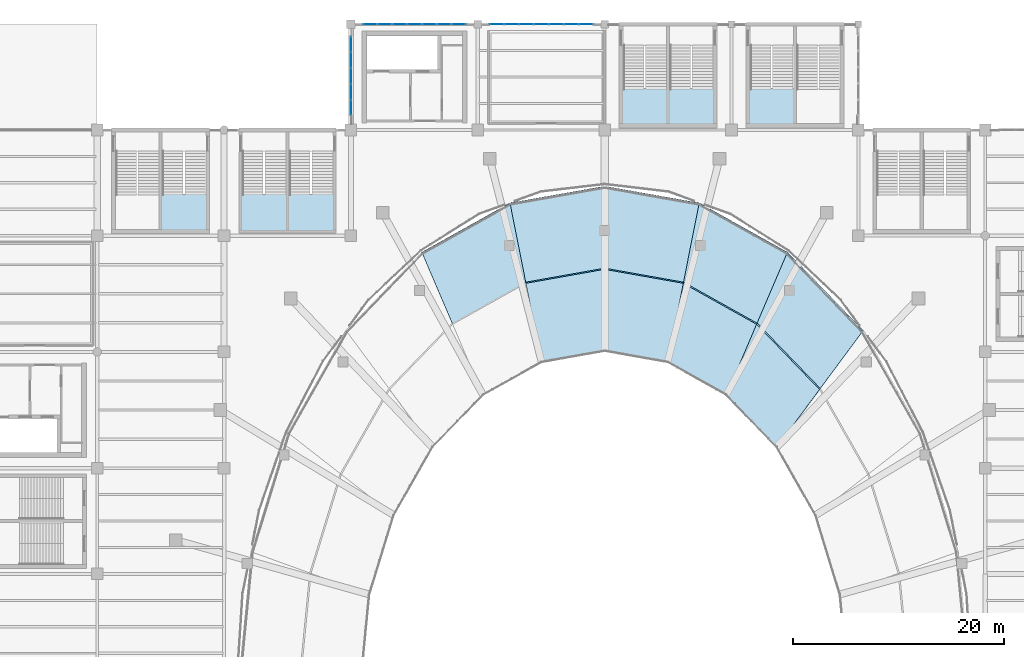
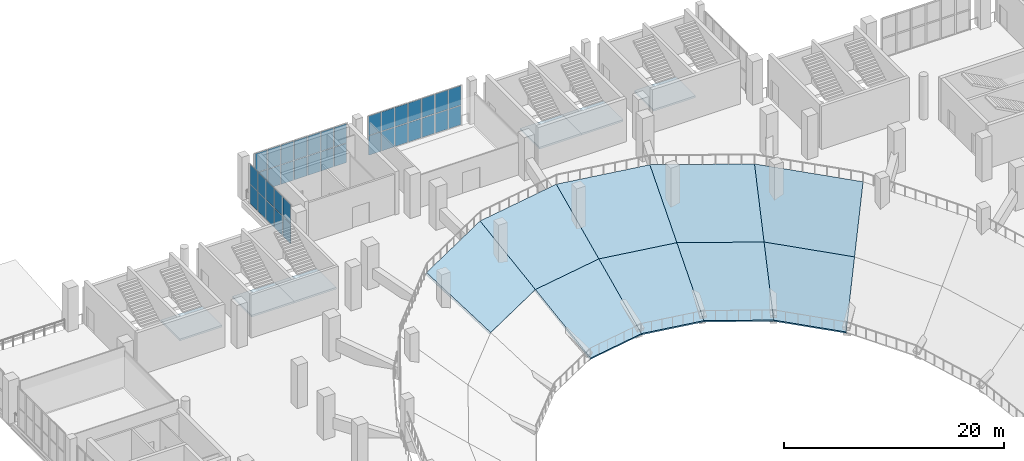
# One storey, part 99 of 136: 38 plates, 15 slabs, 9 elements without a shape of their own.
"""IFC4 building model written with IfcOpenShell, lengths in metres."""

import ifcopenshell
import ifcopenshell.guid

model = None  # the IFC model being written
_history = None  # IfcOwnerHistory: only IFC2X3 demands one
_inside = {}  # id of a spatial element -> (the spatial element, [elements in it])
_under = {}  # id of a project, library or spatial element -> (it, [spatial elements below it])
_declared = {}  # id of a project -> (the project, [libraries it declares])
_typed = {}  # id of a type object -> (the type object, [elements of that type])
_made_of = {}  # id of a material, layer set ... -> (it, [elements and type objects made of it])


def new_model(schema):
    """Start an empty IFC model of exactly this schema.

    Asked for "IFC4X3", IfcOpenShell would pick the latest addendum, in which some entities
    have other attributes; the version numbers below select the first issue.
    IFC2X3 requires an IfcOwnerHistory on every rooted entity: one is made here for all.
    """
    global model, _history
    if schema == "IFC4X3":
        model = ifcopenshell.file(schema_version=(4, 3, 0, 0))
    else:
        model = ifcopenshell.file(schema=schema)
    _inside.clear()
    _under.clear()
    _declared.clear()
    _typed.clear()
    _made_of.clear()
    _history = None
    if model.schema == "IFC2X3":
        org = make("IfcOrganization", Name="unknown")
        user = make(
            "IfcPersonAndOrganization",
            ThePerson=make("IfcPerson", FamilyName="unknown"),
            TheOrganization=org,
        )
        app = make(
            "IfcApplication",
            ApplicationDeveloper=org,
            Version="unknown",
            ApplicationFullName="unknown",
            ApplicationIdentifier="unknown",
        )
        _history = make(
            "IfcOwnerHistory",
            OwningUser=user,
            OwningApplication=app,
            ChangeAction="ADDED",
            CreationDate=0,
        )
    return model


def make(cls, **values):
    """One entity of the class cls with the attributes given. An attribute that is None is left unset."""
    return model.create_entity(
        cls, **{name: value for name, value in values.items() if value is not None}
    )


def rooted(cls, **values):
    """An entity with a GlobalId (a new one), such as an element, a storey or a relation."""
    return make(cls, GlobalId=ifcopenshell.guid.new(), OwnerHistory=_history, **values)


def si_unit(unit_type, name, prefix=None):
    """IfcSIUnit, for example si_unit("LENGTHUNIT", "METRE", prefix="MILLI")."""
    return make("IfcSIUnit", UnitType=unit_type, Prefix=prefix, Name=name)


def assignment(units):
    """IfcUnitAssignment: the units of a project."""
    return None if units is None else make("IfcUnitAssignment", Units=units)


def point(xyz):
    """IfcCartesianPoint."""
    return None if xyz is None else make("IfcCartesianPoint", Coordinates=xyz)


def direction(xyz):
    """IfcDirection."""
    return None if xyz is None else make("IfcDirection", DirectionRatios=xyz)


def frame(location, z_axis=None, x_axis=None):
    """IfcAxis2Placement3D, a coordinate frame: its origin and axes. An axis left out is left unset."""
    return make(
        "IfcAxis2Placement3D",
        Location=point(location),
        Axis=direction(z_axis),
        RefDirection=direction(x_axis),
    )


def frame_2d(location, x_axis=None):
    """IfcAxis2Placement2D, a coordinate frame in the plane: its origin and x axis."""
    return make(
        "IfcAxis2Placement2D", Location=point(location), RefDirection=direction(x_axis)
    )


def origin():
    """The frame at (0, 0, 0) with its axes left unset."""
    return frame((0.0, 0.0, 0.0))


def origin_2d():
    """The frame at (0, 0) in the plane with its x axis left unset."""
    return frame_2d((0.0, 0.0))


def place(relative_to, where):
    """IfcLocalPlacement: puts the frame where relative to a parent placement (None: the world)."""
    return make(
        "IfcLocalPlacement", PlacementRelTo=relative_to, RelativePlacement=where
    )


def context(
    kind, dimensions, precision=None, world=None, true_north=None, identifier=None
):
    """IfcGeometricRepresentationContext, for example the 3D "Model" context."""
    return make(
        "IfcGeometricRepresentationContext",
        ContextIdentifier=identifier,
        ContextType=kind,
        CoordinateSpaceDimension=dimensions,
        Precision=precision,
        WorldCoordinateSystem=world,
        TrueNorth=true_north,
    )


def subcontext(parent, identifier, kind, view, scale=None):
    """IfcGeometricRepresentationSubContext, for example "Body" below "Model"."""
    return make(
        "IfcGeometricRepresentationSubContext",
        ContextIdentifier=identifier,
        ContextType=kind,
        ParentContext=parent,
        TargetScale=scale,
        TargetView=view,
    )


def project(units=None, contexts=None):
    """IfcProject with its units and contexts."""
    return rooted(
        "IfcProject",
        Name="project",
        RepresentationContexts=contexts,
        UnitsInContext=assignment(units),
    )


def spatial(cls, under=None, at=None, **own):
    """A site, building, storey or space (cls), placed at a placement, below another one or the project."""
    s = rooted(cls, ObjectPlacement=at, **own)
    if under is not None:
        _under.setdefault(under.id(), (under, []))[1].append(s)
    return s


def polyline(points):
    """IfcPolyline through the points."""
    return make("IfcPolyline", Points=[point(p) for p in points])


def profile(cls, at=None, kind="AREA", **sizes):
    """A parametric profile (cls). Its sizes go by their IFC names, for example OverallWidth=200.0."""
    return make(cls, ProfileType=kind, Position=at, **sizes)


def rectangle(**sizes):
    """IfcRectangleProfileDef."""
    return profile("IfcRectangleProfileDef", **sizes)


def outline(outer, holes=None, kind="AREA"):
    """IfcArbitraryClosedProfileDef: a profile drawn as a closed curve; with holes, ...WithVoids."""
    if holes is None:
        return make("IfcArbitraryClosedProfileDef", ProfileType=kind, OuterCurve=outer)
    return make(
        "IfcArbitraryProfileDefWithVoids",
        ProfileType=kind,
        OuterCurve=outer,
        InnerCurves=holes,
    )


def extrude(swept, where, along, depth):
    """IfcExtrudedAreaSolid: the profile swept, set in the frame where, extruded along a direction by depth."""
    return make(
        "IfcExtrudedAreaSolid",
        SweptArea=swept,
        Position=where,
        ExtrudedDirection=direction(along),
        Depth=depth,
    )


def shape(context_of_items, identifier, shape_type, items):
    """IfcShapeRepresentation: the items that make up one representation, for example the "Body"."""
    return make(
        "IfcShapeRepresentation",
        ContextOfItems=context_of_items,
        RepresentationIdentifier=identifier,
        RepresentationType=shape_type,
        Items=items,
    )


def material(Name=None, Category=None):
    """IfcMaterial."""
    return make("IfcMaterial", Name=Name, Category=Category)


def layer(
    of_material, thickness, ventilated=None, Name=None, Category=None, Priority=None
):
    """IfcMaterialLayer: one layer of a wall or slab, of a material (None: an air gap)."""
    return make(
        "IfcMaterialLayer",
        Material=of_material,
        LayerThickness=thickness,
        IsVentilated=ventilated,
        Name=Name,
        Category=Category,
        Priority=Priority,
    )


def layer_set(layers, Name=None):
    """IfcMaterialLayerSet."""
    return make("IfcMaterialLayerSet", MaterialLayers=layers, LayerSetName=Name)


def made_of(thing, what):
    """Note that an element or type object is made of a material, layer set ...; save() writes the relation."""
    if what is not None:
        _made_of.setdefault(what.id(), (what, []))[1].append(thing)
    return thing


def type_object(cls, material=None, **own):
    """A type object (cls), such as IfcWallType, which elements share."""
    return made_of(rooted(cls, **own), material)


def element(
    cls,
    number,
    at=None,
    inside=None,
    cuts=None,
    type_object=None,
    material=None,
    context=None,
    identifier="Body",
    shape_type=None,
    held_by="IfcProductDefinitionShape",
    body=None,
    shapes=None,
    **own,
):
    """One element of the class cls, such as IfcWall. Its Tag is "e" and its number.

    at: its placement. inside: the storey or other place that contains it. cuts: it is an
    opening in that element (IfcRelVoidsElement). A single representation is given by context,
    identifier, shape_type and body (its items); several are given by shapes. held_by: the class
    of the entity that holds the representations. save() writes the other relations.
    """
    e = rooted(cls, Tag="e%d" % number, ObjectPlacement=at, **own)
    if body is not None:
        shapes = [shape(context, identifier, shape_type, body)]
    if shapes is not None:
        e.Representation = make(held_by, Representations=shapes)
    if inside is not None:
        _inside.setdefault(inside.id(), (inside, []))[1].append(e)
    if cuts is not None:
        rooted(
            "IfcRelVoidsElement", RelatingBuildingElement=cuts, RelatedOpeningElement=e
        )
    if type_object is not None:
        _typed.setdefault(type_object.id(), (type_object, []))[1].append(e)
    return made_of(e, material)


def aggregate(whole, parts):
    """IfcRelAggregates: a whole, such as a stair, and the parts it consists of."""
    return rooted("IfcRelAggregates", RelatingObject=whole, RelatedObjects=parts)


def save(model, path):
    """Write the relations noted so far, then the file.

    IfcRelAggregates (storeys below a building ...), IfcRelContainedInSpatialStructure (elements
    in a storey), IfcRelDefinesByType, IfcRelAssociatesMaterial and IfcRelDeclares: one each for
    every whole, place, type object, material and project.
    """
    for whole, parts in _under.values():
        aggregate(whole, parts)
    for where, things in _inside.values():
        rooted(
            "IfcRelContainedInSpatialStructure",
            RelatedElements=things,
            RelatingStructure=where,
        )
    for kind, things in _typed.values():
        rooted("IfcRelDefinesByType", RelatedObjects=things, RelatingType=kind)
    for what, things in _made_of.values():
        rooted("IfcRelAssociatesMaterial", RelatedObjects=things, RelatingMaterial=what)
    for by, libraries in _declared.values():
        rooted("IfcRelDeclares", RelatingContext=by, RelatedDefinitions=libraries)
    model.write(path)


model = new_model("IFC4")

# Units and contexts
model_context = context("Model", 3, precision=1e-05, world=origin(), true_north=direction((0.0, 1.0)))
body_context = subcontext(model_context, "Body", "Model", "MODEL_VIEW")
ifc_project = project(units=[si_unit("LENGTHUNIT", "METRE"), si_unit("AREAUNIT", "SQUARE_METRE"), si_unit("VOLUMEUNIT", "CUBIC_METRE"), si_unit("PLANEANGLEUNIT", "RADIAN"), si_unit("MASSUNIT", "GRAM", prefix="KILO")], contexts=[model_context])

# Site, building, storey
site_placement = place(None, origin())
site = spatial("IfcSite", under=ifc_project, at=site_placement, CompositionType="ELEMENT")
building_placement = place(site_placement, origin())
building = spatial("IfcBuilding", under=site, at=building_placement, Name="Brinegate Civic Arena", CompositionType="ELEMENT")
storey_placement = place(building_placement, frame((0.0, 0.0, 5.39990234375)))
storey = spatial("IfcBuildingStorey", under=building, at=storey_placement, Name="L01", CompositionType="ELEMENT", Elevation=5.39990234375)

# Curtain wall, plates
ifc_material_1 = material(Name="Marine grade aluminium", Category="aluminium")
ifc_layer_1 = layer(ifc_material_1, 0.235107421875, Name="Marine grade aluminium")
ifc_layer_set_1 = layer_set([ifc_layer_1], Name="Marine grade aluminium")
curtain_wall_type = type_object("IfcCurtainWallType", Name="CW-PORTAL-NORTH-01", PredefinedType="USERDEFINED", material=ifc_layer_set_1)
curtain_wall_1_placement = place(storey_placement, origin())
curtain_wall_1 = element("IfcCurtainWall", 1, at=curtain_wall_1_placement, inside=storey, type_object=curtain_wall_type, Name="Curtain Wall CWA-066", ObjectType="PORTAL CURTAIN WALL", PredefinedType="USERDEFINED")
ifc_material_2 = material(Name="Hurricane laminated low-E glass", Category="glass")
ifc_layer_2 = layer(ifc_material_2, 0.028076171875, Name="Hurricane laminated low-E glass")
ifc_layer_set_2 = layer_set([ifc_layer_2], Name="Hurricane laminated low-E glass")
plate_type_1 = type_object("IfcPlateType", Name="CW-PANEL-GLAZED-28", PredefinedType="CURTAIN_PANEL", material=ifc_layer_set_2)
plate_1_placement = place(storey_placement, frame((97.801513671875, 124.0, 0.06494140625), z_axis=(0.0, 0.0, 1.0), x_axis=(1.0, 0.0, 0.0)))
plate_1 = element("IfcPlate", 2, at=plate_1_placement, type_object=plate_type_1, Name="CWA-066 panel 1.1", PredefinedType="CURTAIN_PANEL", context=body_context, shape_type="SweptSolid", body=[
    extrude(rectangle(XDim=1.313232421875, YDim=0.028076171875, at=origin_2d()), origin(), (0.0, 0.0, 1.0), 2.137451171875),
])
plate_2_placement = place(storey_placement, frame((97.801513671875, 124.0, 2.267578125), z_axis=(0.0, 0.0, 1.0), x_axis=(1.0, 0.0, 0.0)))
plate_2 = element("IfcPlate", 3, at=plate_2_placement, type_object=plate_type_1, Name="CWA-066 panel 1.2", PredefinedType="CURTAIN_PANEL", context=body_context, shape_type="SweptSolid", body=[
    extrude(rectangle(XDim=1.313232421875, YDim=0.028076171875, at=origin_2d()), origin(), (0.0, 0.0, 1.0), 2.137451171875),
])
plate_3_placement = place(storey_placement, frame((99.196044921875, 124.0, 0.06494140625), z_axis=(0.0, 0.0, 1.0), x_axis=(1.0, 0.0, 0.0)))
plate_3 = element("IfcPlate", 4, at=plate_3_placement, type_object=plate_type_1, Name="CWA-066 panel 2.1", PredefinedType="CURTAIN_PANEL", context=body_context, shape_type="SweptSolid", body=[
    extrude(rectangle(XDim=1.345703125, YDim=0.028076171875, at=origin_2d()), origin(), (0.0, 0.0, 1.0), 2.137451171875),
])
plate_4_placement = place(storey_placement, frame((99.196044921875, 124.0, 2.267578125), z_axis=(0.0, 0.0, 1.0), x_axis=(1.0, 0.0, 0.0)))
plate_4 = element("IfcPlate", 5, at=plate_4_placement, type_object=plate_type_1, Name="CWA-066 panel 2.2", PredefinedType="CURTAIN_PANEL", context=body_context, shape_type="SweptSolid", body=[
    extrude(rectangle(XDim=1.345703125, YDim=0.028076171875, at=origin_2d()), origin(), (0.0, 0.0, 1.0), 2.137451171875),
])
plate_5_placement = place(storey_placement, frame((100.606689453125, 124.0, 0.06494140625), z_axis=(0.0, 0.0, 1.0), x_axis=(1.0, 0.0, 0.0)))
plate_5 = element("IfcPlate", 6, at=plate_5_placement, type_object=plate_type_1, Name="CWA-066 panel 3.1", PredefinedType="CURTAIN_PANEL", context=body_context, shape_type="SweptSolid", body=[
    extrude(rectangle(XDim=1.345703125, YDim=0.028076171875, at=origin_2d()), origin(), (0.0, 0.0, 1.0), 2.137451171875),
])
plate_6_placement = place(storey_placement, frame((100.606689453125, 124.0, 2.267578125), z_axis=(0.0, 0.0, 1.0), x_axis=(1.0, 0.0, 0.0)))
plate_6 = element("IfcPlate", 7, at=plate_6_placement, type_object=plate_type_1, Name="CWA-066 panel 3.2", PredefinedType="CURTAIN_PANEL", context=body_context, shape_type="SweptSolid", body=[
    extrude(rectangle(XDim=1.345703125, YDim=0.028076171875, at=origin_2d()), origin(), (0.0, 0.0, 1.0), 2.137451171875),
])
plate_7_placement = place(storey_placement, frame((102.017578125, 124.0, 0.06494140625), z_axis=(0.0, 0.0, 1.0), x_axis=(1.0, 0.0, 0.0)))
plate_7 = element("IfcPlate", 8, at=plate_7_placement, type_object=plate_type_1, Name="CWA-066 panel 4.1", PredefinedType="CURTAIN_PANEL", context=body_context, shape_type="SweptSolid", body=[
    extrude(rectangle(XDim=1.345703125, YDim=0.028076171875, at=origin_2d()), origin(), (0.0, 0.0, 1.0), 2.137451171875),
])
plate_8_placement = place(storey_placement, frame((102.017578125, 124.0, 2.267578125), z_axis=(0.0, 0.0, 1.0), x_axis=(1.0, 0.0, 0.0)))
plate_8 = element("IfcPlate", 9, at=plate_8_placement, type_object=plate_type_1, Name="CWA-066 panel 4.2", PredefinedType="CURTAIN_PANEL", context=body_context, shape_type="SweptSolid", body=[
    extrude(rectangle(XDim=1.345703125, YDim=0.028076171875, at=origin_2d()), origin(), (0.0, 0.0, 1.0), 2.137451171875),
])
plate_9_placement = place(storey_placement, frame((103.42822265625, 124.0, 0.06494140625), z_axis=(0.0, 0.0, 1.0), x_axis=(1.0, 0.0, 0.0)))
plate_9 = element("IfcPlate", 10, at=plate_9_placement, type_object=plate_type_1, Name="CWA-066 panel 5.1", PredefinedType="CURTAIN_PANEL", context=body_context, shape_type="SweptSolid", body=[
    extrude(rectangle(XDim=1.345703125, YDim=0.028076171875, at=origin_2d()), origin(), (0.0, 0.0, 1.0), 2.137451171875),
])
plate_10_placement = place(storey_placement, frame((103.42822265625, 124.0, 2.267578125), z_axis=(0.0, 0.0, 1.0), x_axis=(1.0, 0.0, 0.0)))
plate_10 = element("IfcPlate", 11, at=plate_10_placement, type_object=plate_type_1, Name="CWA-066 panel 5.2", PredefinedType="CURTAIN_PANEL", context=body_context, shape_type="SweptSolid", body=[
    extrude(rectangle(XDim=1.345703125, YDim=0.028076171875, at=origin_2d()), origin(), (0.0, 0.0, 1.0), 2.137451171875),
])
plate_11_placement = place(storey_placement, frame((104.8388671875, 124.0, 0.06494140625), z_axis=(0.0, 0.0, 1.0), x_axis=(1.0, 0.0, 0.0)))
plate_11 = element("IfcPlate", 12, at=plate_11_placement, type_object=plate_type_1, Name="CWA-066 panel 6.1", PredefinedType="CURTAIN_PANEL", context=body_context, shape_type="SweptSolid", body=[
    extrude(rectangle(XDim=1.345703125, YDim=0.028076171875, at=origin_2d()), origin(), (0.0, 0.0, 1.0), 2.137451171875),
])
plate_12_placement = place(storey_placement, frame((104.8388671875, 124.0, 2.267578125), z_axis=(0.0, 0.0, 1.0), x_axis=(1.0, 0.0, 0.0)))
plate_12 = element("IfcPlate", 13, at=plate_12_placement, type_object=plate_type_1, Name="CWA-066 panel 6.2", PredefinedType="CURTAIN_PANEL", context=body_context, shape_type="SweptSolid", body=[
    extrude(rectangle(XDim=1.345703125, YDim=0.028076171875, at=origin_2d()), origin(), (0.0, 0.0, 1.0), 2.137451171875),
])
plate_13_placement = place(storey_placement, frame((106.2333984375, 124.0, 0.06494140625), z_axis=(0.0, 0.0, 1.0), x_axis=(1.0, 0.0, 0.0)))
plate_13 = element("IfcPlate", 14, at=plate_13_placement, type_object=plate_type_1, Name="CWA-066 panel 7.1", PredefinedType="CURTAIN_PANEL", context=body_context, shape_type="SweptSolid", body=[
    extrude(rectangle(XDim=1.313232421875, YDim=0.028076171875, at=origin_2d()), origin(), (0.0, 0.0, 1.0), 2.137451171875),
])
plate_14_placement = place(storey_placement, frame((106.2333984375, 124.0, 2.267578125), z_axis=(0.0, 0.0, 1.0), x_axis=(1.0, 0.0, 0.0)))
plate_14 = element("IfcPlate", 15, at=plate_14_placement, type_object=plate_type_1, Name="CWA-066 panel 7.2", PredefinedType="CURTAIN_PANEL", context=body_context, shape_type="SweptSolid", body=[
    extrude(rectangle(XDim=1.313232421875, YDim=0.028076171875, at=origin_2d()), origin(), (0.0, 0.0, 1.0), 2.137451171875),
])
aggregate(curtain_wall_1, [plate_1, plate_2, plate_3, plate_4, plate_5, plate_6, plate_7, plate_8, plate_9, plate_10, plate_11, plate_12, plate_13, plate_14])

curtain_wall_2_placement = place(storey_placement, origin())
curtain_wall_2 = element("IfcCurtainWall", 16, at=curtain_wall_2_placement, inside=storey, type_object=curtain_wall_type, Name="Curtain Wall CWA-064", ObjectType="PORTAL CURTAIN WALL", PredefinedType="USERDEFINED")
ifc_layer_3 = layer(ifc_material_2, 0.035888671875, Name="Hurricane laminated low-E glass")
ifc_layer_set_3 = layer_set([ifc_layer_3], Name="Hurricane laminated low-E glass")
plate_type_2 = type_object("IfcPlateType", Name="CW-PANEL-GLAZED-36", PredefinedType="CURTAIN_PANEL", material=ifc_layer_set_3)
plate_15_placement = place(storey_placement, frame((85.8349609375, 124.0, 0.06494140625), z_axis=(0.0, 0.0, 1.0), x_axis=(1.0, 0.0, 0.0)))
plate_15 = element("IfcPlate", 17, at=plate_15_placement, type_object=plate_type_2, Name="CWA-064 panel 1.1", PredefinedType="CURTAIN_PANEL", context=body_context, shape_type="SweptSolid", body=[
    extrude(rectangle(XDim=1.2880859375, YDim=0.035888671875, at=origin_2d()), origin(), (0.0, 0.0, 1.0), 2.137451171875),
])
plate_16_placement = place(storey_placement, frame((85.8349609375, 124.0, 2.267578125), z_axis=(0.0, 0.0, 1.0), x_axis=(1.0, 0.0, 0.0)))
plate_16 = element("IfcPlate", 18, at=plate_16_placement, type_object=plate_type_2, Name="CWA-064 panel 1.2", PredefinedType="CURTAIN_PANEL", context=body_context, shape_type="SweptSolid", body=[
    extrude(rectangle(XDim=1.2880859375, YDim=0.035888671875, at=origin_2d()), origin(), (0.0, 0.0, 1.0), 2.137451171875),
])
plate_17_placement = place(storey_placement, frame((87.216796875, 124.0, 0.06494140625), z_axis=(0.0, 0.0, 1.0), x_axis=(1.0, 0.0, 0.0)))
plate_17 = element("IfcPlate", 19, at=plate_17_placement, type_object=plate_type_2, Name="CWA-064 panel 2.1", PredefinedType="CURTAIN_PANEL", context=body_context, shape_type="SweptSolid", body=[
    extrude(rectangle(XDim=1.32568359375, YDim=0.035888671875, at=origin_2d()), origin(), (0.0, 0.0, 1.0), 2.137451171875),
])
plate_18_placement = place(storey_placement, frame((87.216796875, 124.0, 2.267578125), z_axis=(0.0, 0.0, 1.0), x_axis=(1.0, 0.0, 0.0)))
plate_18 = element("IfcPlate", 20, at=plate_18_placement, type_object=plate_type_2, Name="CWA-064 panel 2.2", PredefinedType="CURTAIN_PANEL", context=body_context, shape_type="SweptSolid", body=[
    extrude(rectangle(XDim=1.32568359375, YDim=0.035888671875, at=origin_2d()), origin(), (0.0, 0.0, 1.0), 2.137451171875),
])
plate_19_placement = place(storey_placement, frame((88.617431640625, 124.0, 0.06494140625), z_axis=(0.0, 0.0, 1.0), x_axis=(1.0, 0.0, 0.0)))
plate_19 = element("IfcPlate", 21, at=plate_19_placement, type_object=plate_type_2, Name="CWA-064 panel 3.1", PredefinedType="CURTAIN_PANEL", context=body_context, shape_type="SweptSolid", body=[
    extrude(rectangle(XDim=1.32568359375, YDim=0.035888671875, at=origin_2d()), origin(), (0.0, 0.0, 1.0), 2.137451171875),
])
plate_20_placement = place(storey_placement, frame((88.617431640625, 124.0, 2.267578125), z_axis=(0.0, 0.0, 1.0), x_axis=(1.0, 0.0, 0.0)))
plate_20 = element("IfcPlate", 22, at=plate_20_placement, type_object=plate_type_2, Name="CWA-064 panel 3.2", PredefinedType="CURTAIN_PANEL", context=body_context, shape_type="SweptSolid", body=[
    extrude(rectangle(XDim=1.32568359375, YDim=0.035888671875, at=origin_2d()), origin(), (0.0, 0.0, 1.0), 2.137451171875),
])
plate_21_placement = place(storey_placement, frame((90.01806640625, 124.0, 0.06494140625), z_axis=(0.0, 0.0, 1.0), x_axis=(1.0, 0.0, 0.0)))
plate_21 = element("IfcPlate", 23, at=plate_21_placement, type_object=plate_type_2, Name="CWA-064 panel 4.1", PredefinedType="CURTAIN_PANEL", context=body_context, shape_type="SweptSolid", body=[
    extrude(rectangle(XDim=1.32568359375, YDim=0.035888671875, at=origin_2d()), origin(), (0.0, 0.0, 1.0), 2.137451171875),
])
plate_22_placement = place(storey_placement, frame((90.01806640625, 124.0, 2.267578125), z_axis=(0.0, 0.0, 1.0), x_axis=(1.0, 0.0, 0.0)))
plate_22 = element("IfcPlate", 24, at=plate_22_placement, type_object=plate_type_2, Name="CWA-064 panel 4.2", PredefinedType="CURTAIN_PANEL", context=body_context, shape_type="SweptSolid", body=[
    extrude(rectangle(XDim=1.32568359375, YDim=0.035888671875, at=origin_2d()), origin(), (0.0, 0.0, 1.0), 2.137451171875),
])
plate_23_placement = place(storey_placement, frame((91.41845703125, 124.0, 0.06494140625), z_axis=(0.0, 0.0, 1.0), x_axis=(1.0, 0.0, 0.0)))
plate_23 = element("IfcPlate", 25, at=plate_23_placement, type_object=plate_type_2, Name="CWA-064 panel 5.1", PredefinedType="CURTAIN_PANEL", context=body_context, shape_type="SweptSolid", body=[
    extrude(rectangle(XDim=1.32568359375, YDim=0.035888671875, at=origin_2d()), origin(), (0.0, 0.0, 1.0), 2.137451171875),
])
plate_24_placement = place(storey_placement, frame((91.41845703125, 124.0, 2.267578125), z_axis=(0.0, 0.0, 1.0), x_axis=(1.0, 0.0, 0.0)))
plate_24 = element("IfcPlate", 26, at=plate_24_placement, type_object=plate_type_2, Name="CWA-064 panel 5.2", PredefinedType="CURTAIN_PANEL", context=body_context, shape_type="SweptSolid", body=[
    extrude(rectangle(XDim=1.32568359375, YDim=0.035888671875, at=origin_2d()), origin(), (0.0, 0.0, 1.0), 2.137451171875),
])
plate_25_placement = place(storey_placement, frame((92.819091796875, 124.0, 0.06494140625), z_axis=(0.0, 0.0, 1.0), x_axis=(1.0, 0.0, 0.0)))
plate_25 = element("IfcPlate", 27, at=plate_25_placement, type_object=plate_type_2, Name="CWA-064 panel 6.1", PredefinedType="CURTAIN_PANEL", context=body_context, shape_type="SweptSolid", body=[
    extrude(rectangle(XDim=1.32568359375, YDim=0.035888671875, at=origin_2d()), origin(), (0.0, 0.0, 1.0), 2.137451171875),
])
plate_26_placement = place(storey_placement, frame((92.819091796875, 124.0, 2.267578125), z_axis=(0.0, 0.0, 1.0), x_axis=(1.0, 0.0, 0.0)))
plate_26 = element("IfcPlate", 28, at=plate_26_placement, type_object=plate_type_2, Name="CWA-064 panel 6.2", PredefinedType="CURTAIN_PANEL", context=body_context, shape_type="SweptSolid", body=[
    extrude(rectangle(XDim=1.32568359375, YDim=0.035888671875, at=origin_2d()), origin(), (0.0, 0.0, 1.0), 2.137451171875),
])
plate_27_placement = place(storey_placement, frame((94.200927734375, 124.0, 0.06494140625), z_axis=(0.0, 0.0, 1.0), x_axis=(1.0, 0.0, 0.0)))
plate_27 = element("IfcPlate", 29, at=plate_27_placement, type_object=plate_type_2, Name="CWA-064 panel 7.1", PredefinedType="CURTAIN_PANEL", context=body_context, shape_type="SweptSolid", body=[
    extrude(rectangle(XDim=1.2880859375, YDim=0.035888671875, at=origin_2d()), origin(), (0.0, 0.0, 1.0), 2.137451171875),
])
plate_28_placement = place(storey_placement, frame((94.200927734375, 124.0, 2.267578125), z_axis=(0.0, 0.0, 1.0), x_axis=(1.0, 0.0, 0.0)))
plate_28 = element("IfcPlate", 30, at=plate_28_placement, type_object=plate_type_2, Name="CWA-064 panel 7.2", PredefinedType="CURTAIN_PANEL", context=body_context, shape_type="SweptSolid", body=[
    extrude(rectangle(XDim=1.2880859375, YDim=0.035888671875, at=origin_2d()), origin(), (0.0, 0.0, 1.0), 2.137451171875),
])
aggregate(curtain_wall_2, [plate_15, plate_16, plate_17, plate_18, plate_19, plate_20, plate_21, plate_22, plate_23, plate_24, plate_25, plate_26, plate_27, plate_28])

curtain_wall_3_placement = place(storey_placement, origin())
curtain_wall_3 = element("IfcCurtainWall", 31, at=curtain_wall_3_placement, inside=storey, type_object=curtain_wall_type, Name="Curtain Wall CWA-068", ObjectType="PORTAL CURTAIN WALL", PredefinedType="USERDEFINED")
plate_29_placement = place(storey_placement, frame((84.0, 116.102294921875, 0.06494140625), z_axis=(0.0, 0.0, 1.0), x_axis=(0.0, 1.0, 0.0)))
plate_29 = element("IfcPlate", 32, at=plate_29_placement, type_object=plate_type_2, Name="CWA-068 panel 1.1", PredefinedType="CURTAIN_PANEL", context=body_context, shape_type="SweptSolid", body=[
    extrude(rectangle(XDim=1.398681640625, YDim=0.035888671875, at=origin_2d()), origin(), (0.0, 0.0, 1.0), 2.137451171875),
])
plate_30_placement = place(storey_placement, frame((84.0, 116.102294921875, 2.267578125), z_axis=(0.0, 0.0, 1.0), x_axis=(0.0, 1.0, 0.0)))
plate_30 = element("IfcPlate", 33, at=plate_30_placement, type_object=plate_type_2, Name="CWA-068 panel 1.2", PredefinedType="CURTAIN_PANEL", context=body_context, shape_type="SweptSolid", body=[
    extrude(rectangle(XDim=1.398681640625, YDim=0.035888671875, at=origin_2d()), origin(), (0.0, 0.0, 1.0), 2.137451171875),
])
plate_31_placement = place(storey_placement, frame((84.0, 117.5947265625, 0.06494140625), z_axis=(0.0, 0.0, 1.0), x_axis=(0.0, 1.0, 0.0)))
plate_31 = element("IfcPlate", 34, at=plate_31_placement, type_object=plate_type_2, Name="CWA-068 panel 2.1", PredefinedType="CURTAIN_PANEL", context=body_context, shape_type="SweptSolid", body=[
    extrude(rectangle(XDim=1.436279296875, YDim=0.035888671875, at=origin_2d()), origin(), (0.0, 0.0, 1.0), 2.137451171875),
])
plate_32_placement = place(storey_placement, frame((84.0, 117.5947265625, 2.267578125), z_axis=(0.0, 0.0, 1.0), x_axis=(0.0, 1.0, 0.0)))
plate_32 = element("IfcPlate", 35, at=plate_32_placement, type_object=plate_type_2, Name="CWA-068 panel 2.2", PredefinedType="CURTAIN_PANEL", context=body_context, shape_type="SweptSolid", body=[
    extrude(rectangle(XDim=1.436279296875, YDim=0.035888671875, at=origin_2d()), origin(), (0.0, 0.0, 1.0), 2.137451171875),
])
plate_33_placement = place(storey_placement, frame((84.0, 119.10595703125, 0.06494140625), z_axis=(0.0, 0.0, 1.0), x_axis=(0.0, 1.0, 0.0)))
plate_33 = element("IfcPlate", 36, at=plate_33_placement, type_object=plate_type_2, Name="CWA-068 panel 3.1", PredefinedType="CURTAIN_PANEL", context=body_context, shape_type="SweptSolid", body=[
    extrude(rectangle(XDim=1.436279296875, YDim=0.035888671875, at=origin_2d()), origin(), (0.0, 0.0, 1.0), 2.137451171875),
])
plate_34_placement = place(storey_placement, frame((84.0, 119.10595703125, 2.267578125), z_axis=(0.0, 0.0, 1.0), x_axis=(0.0, 1.0, 0.0)))
plate_34 = element("IfcPlate", 37, at=plate_34_placement, type_object=plate_type_2, Name="CWA-068 panel 3.2", PredefinedType="CURTAIN_PANEL", context=body_context, shape_type="SweptSolid", body=[
    extrude(rectangle(XDim=1.436279296875, YDim=0.035888671875, at=origin_2d()), origin(), (0.0, 0.0, 1.0), 2.137451171875),
])
plate_35_placement = place(storey_placement, frame((84.0, 120.6171875, 0.06494140625), z_axis=(0.0, 0.0, 1.0), x_axis=(0.0, 1.0, 0.0)))
plate_35 = element("IfcPlate", 38, at=plate_35_placement, type_object=plate_type_2, Name="CWA-068 panel 4.1", PredefinedType="CURTAIN_PANEL", context=body_context, shape_type="SweptSolid", body=[
    extrude(rectangle(XDim=1.436279296875, YDim=0.035888671875, at=origin_2d()), origin(), (0.0, 0.0, 1.0), 2.137451171875),
])
plate_36_placement = place(storey_placement, frame((84.0, 120.6171875, 2.267578125), z_axis=(0.0, 0.0, 1.0), x_axis=(0.0, 1.0, 0.0)))
plate_36 = element("IfcPlate", 39, at=plate_36_placement, type_object=plate_type_2, Name="CWA-068 panel 4.2", PredefinedType="CURTAIN_PANEL", context=body_context, shape_type="SweptSolid", body=[
    extrude(rectangle(XDim=1.436279296875, YDim=0.035888671875, at=origin_2d()), origin(), (0.0, 0.0, 1.0), 2.137451171875),
])
plate_37_placement = place(storey_placement, frame((84.0, 122.109619140625, 0.06494140625), z_axis=(0.0, 0.0, 1.0), x_axis=(0.0, 1.0, 0.0)))
plate_37 = element("IfcPlate", 40, at=plate_37_placement, type_object=plate_type_2, Name="CWA-068 panel 5.1", PredefinedType="CURTAIN_PANEL", context=body_context, shape_type="SweptSolid", body=[
    extrude(rectangle(XDim=1.398681640625, YDim=0.035888671875, at=origin_2d()), origin(), (0.0, 0.0, 1.0), 2.137451171875),
])
plate_38_placement = place(storey_placement, frame((84.0, 122.109619140625, 2.267578125), z_axis=(0.0, 0.0, 1.0), x_axis=(0.0, 1.0, 0.0)))
plate_38 = element("IfcPlate", 41, at=plate_38_placement, type_object=plate_type_2, Name="CWA-068 panel 5.2", PredefinedType="CURTAIN_PANEL", context=body_context, shape_type="SweptSolid", body=[
    extrude(rectangle(XDim=1.398681640625, YDim=0.035888671875, at=origin_2d()), origin(), (0.0, 0.0, 1.0), 2.137451171875),
])
aggregate(curtain_wall_3, [plate_29, plate_30, plate_31, plate_32, plate_33, plate_34, plate_35, plate_36, plate_37, plate_38])

# Stair, slab
ifc_material_3 = material(Name="Concrete C40/50", Category="concrete")
stair_type_1 = type_object("IfcStairType", Name="STAIR-EXIT-3700", PredefinedType="HALF_TURN_STAIR", material=ifc_material_3)
stair_1_placement = place(storey_placement, origin())
stair_1 = element("IfcStair", 42, at=stair_1_placement, inside=storey, type_object=stair_type_1, Name="Protected Exit Stair ST-01B (L01)", PredefinedType="HALF_TURN_STAIR")
ifc_layer_4 = layer(ifc_material_3, 0.199951171875, Name="Concrete C40/50")
ifc_layer_set_4 = layer_set([ifc_layer_4], Name="Concrete C40/50")
slab_type_1 = type_object("IfcSlabType", Name="SLAB-LANDING-200", PredefinedType="LANDING", material=ifc_layer_set_4)
slab_1_placement = place(storey_placement, frame((0.0, 0.0, 2.2001953125)))
slab_1 = element("IfcSlab", 43, at=slab_1_placement, type_object=slab_type_1, Name="ST-01B landing 1", PredefinedType="LANDING", context=body_context, shape_type="SweptSolid", body=[
    extrude(outline(polyline([(65.9951171875, 104.39990234375), (70.425048828125, 104.39990234375), (70.425048828125, 107.909912109375), (65.9951171875, 107.909912109375), (65.9951171875, 104.39990234375)])), origin(), (0.0, 0.0, 1.0), 0.199951171875),
])
aggregate(stair_1, [slab_1])

stair_type_2 = type_object("IfcStairType", Name="STAIR-EXIT-3850", PredefinedType="HALF_TURN_STAIR", material=ifc_material_3)
stair_2_placement = place(storey_placement, origin())
stair_2 = element("IfcStair", 44, at=stair_2_placement, inside=storey, type_object=stair_type_2, Name="Protected Exit Stair ST-03A (L01)", PredefinedType="HALF_TURN_STAIR")
slab_2_placement = place(storey_placement, frame((0.0, 0.0, 2.2001953125)))
slab_2 = element("IfcSlab", 45, at=slab_2_placement, type_object=slab_type_1, Name="ST-03A landing 1", PredefinedType="LANDING", context=body_context, shape_type="SweptSolid", body=[
    extrude(outline(polyline([(121.594970703125, 114.39990234375), (126.0048828125, 114.39990234375), (126.0048828125, 117.909912109375), (121.594970703125, 117.909912109375), (121.594970703125, 114.39990234375)])), origin(), (0.0, 0.0, 1.0), 0.199951171875),
])
aggregate(stair_2, [slab_2])

stair_3_placement = place(storey_placement, origin())
stair_3 = element("IfcStair", 46, at=stair_3_placement, inside=storey, type_object=stair_type_2, Name="Protected Exit Stair ST-11A (L01)", PredefinedType="HALF_TURN_STAIR")
slab_3_placement = place(storey_placement, frame((0.0, 0.0, 2.2001953125)))
slab_3 = element("IfcSlab", 47, at=slab_3_placement, type_object=slab_type_1, Name="ST-11A landing 1", PredefinedType="LANDING", context=body_context, shape_type="SweptSolid", body=[
    extrude(outline(polyline([(73.544921875, 104.39990234375), (78.0048828125, 104.39990234375), (78.0048828125, 107.909912109375), (73.544921875, 107.909912109375), (73.544921875, 104.39990234375)])), origin(), (0.0, 0.0, 1.0), 0.199951171875),
])
aggregate(stair_3, [slab_3])

stair_4_placement = place(storey_placement, origin())
stair_4 = element("IfcStair", 48, at=stair_4_placement, inside=storey, type_object=stair_type_1, Name="Protected Exit Stair ST-11B (L01)", PredefinedType="HALF_TURN_STAIR")
slab_4_placement = place(storey_placement, frame((0.0, 0.0, 2.2001953125)))
slab_4 = element("IfcSlab", 49, at=slab_4_placement, type_object=slab_type_1, Name="ST-11B landing 1", PredefinedType="LANDING", context=body_context, shape_type="SweptSolid", body=[
    extrude(outline(polyline([(77.9951171875, 104.39990234375), (82.455078125, 104.39990234375), (82.455078125, 107.909912109375), (77.9951171875, 107.909912109375), (77.9951171875, 104.39990234375)])), origin(), (0.0, 0.0, 1.0), 0.199951171875),
])
aggregate(stair_4, [slab_4])

stair_5_placement = place(storey_placement, origin())
stair_5 = element("IfcStair", 50, at=stair_5_placement, inside=storey, type_object=stair_type_2, Name="Protected Exit Stair ST-15A (L01)", PredefinedType="HALF_TURN_STAIR")
slab_5_placement = place(storey_placement, frame((0.0, 0.0, 2.2001953125)))
slab_5 = element("IfcSlab", 51, at=slab_5_placement, type_object=slab_type_1, Name="ST-15A landing 1", PredefinedType="LANDING", context=body_context, shape_type="SweptSolid", body=[
    extrude(outline(polyline([(109.594970703125, 114.39990234375), (114.0048828125, 114.39990234375), (114.0048828125, 117.909912109375), (109.594970703125, 117.909912109375), (109.594970703125, 114.39990234375)])), origin(), (0.0, 0.0, 1.0), 0.199951171875),
])
aggregate(stair_5, [slab_5])

stair_6_placement = place(storey_placement, origin())
stair_6 = element("IfcStair", 52, at=stair_6_placement, inside=storey, type_object=stair_type_1, Name="Protected Exit Stair ST-15B (L01)", PredefinedType="HALF_TURN_STAIR")
slab_6_placement = place(storey_placement, frame((0.0, 0.0, 2.2001953125)))
slab_6 = element("IfcSlab", 53, at=slab_6_placement, type_object=slab_type_1, Name="ST-15B landing 1", PredefinedType="LANDING", context=body_context, shape_type="SweptSolid", body=[
    extrude(outline(polyline([(113.9951171875, 114.39990234375), (118.405029296875, 114.39990234375), (118.405029296875, 117.909912109375), (113.9951171875, 117.909912109375), (113.9951171875, 114.39990234375)])), origin(), (0.0, 0.0, 1.0), 0.199951171875),
])
aggregate(stair_6, [slab_6])

# Slabs
ifc_material_4 = material(Name="Precast concrete C45/55", Category="concrete")
ifc_layer_5 = layer(ifc_material_4, 0.260009765625, Name="Precast concrete C45/55")
ifc_layer_set_5 = layer_set([ifc_layer_5], Name="Precast concrete C45/55")
slab_type_2 = type_object("IfcSlabType", Name="SLAB-TIER-LWR-260", PredefinedType="USERDEFINED", material=ifc_layer_set_5)
slab_7_placement = place(storey_placement, frame((124.262939453125, 83.9560546875, -4.7998046875), z_axis=(-0.339037355806, -0.327287023241, 0.882007299168), x_axis=(-0.694535050303, 0.719458868791, -4.28053e-06)))
element("IfcSlab", 54, at=slab_7_placement, inside=storey, type_object=slab_type_2, Name="Stand Lower Tier Bay A04", ObjectType="SEATING TIER", PredefinedType="USERDEFINED", context=body_context, shape_type="SweptSolid", body=[
    extrude(outline(polyline([(0.0, 0.0), (6.857721820254445, 8.881784197001252e-16), (9.69794410052771, -7.639265679341577), (1.125012052693245, -7.639125513034365), (0.0, 0.0)])), origin(), (0.0, 0.0, -1.0), 0.260009765625),
])
slab_8_placement = place(storey_placement, frame((128.3291015625, 89.445068359375, -1.199951171875), z_axis=(-0.339094748987, -0.327332403695, 0.881968394389), x_axis=(-0.694522230132, 0.719471244626, -2.935933e-06)))
element("IfcSlab", 55, at=slab_8_placement, inside=storey, type_object=slab_type_2, Name="Stand Lower Tier Bay B04", ObjectType="SEATING TIER", PredefinedType="USERDEFINED", context=body_context, shape_type="SweptSolid", body=[
    extrude(outline(polyline([(0.0, 0.0), (8.572932048997421, 0.0), (11.412400970628392, -7.638586539925358), (1.1246039048037506, -7.638469050372839), (0.0, 0.0)])), origin(), (0.0, 0.0, -1.0), 0.260009765625),
])
slab_9_placement = place(storey_placement, frame((119.5, 88.889892578125, -4.7998046875), z_axis=(-0.216545206593, -0.387267914246, 0.896176174698), x_axis=(-0.872800880887, 0.488076451003, 1.7298057e-05)))
element("IfcSlab", 56, at=slab_9_placement, inside=storey, type_object=slab_type_2, Name="Stand Lower Tier Bay A05", ObjectType="SEATING TIER", PredefinedType="USERDEFINED", context=body_context, shape_type="SweptSolid", body=[
    extrude(outline(polyline([(0.0, 0.0), (6.355568408466128, -4.440892098500626e-16), (8.716490687287004, -8.112949691132691), (0.772168260314414, -8.113507187693136), (0.0, 0.0)])), origin(), (0.0, 0.0, -1.0), 0.260009765625),
])
slab_10_placement = place(storey_placement, frame((122.375, 95.613037109375, -1.199951171875), z_axis=(-0.216568760562, -0.387312144129, 0.89615136833), x_axis=(-0.872831795987, 0.488021163217, -1.2918722e-05)))
element("IfcSlab", 57, at=slab_10_placement, inside=storey, type_object=slab_type_2, Name="Stand Lower Tier Bay B05", ObjectType="SEATING TIER", PredefinedType="USERDEFINED", context=body_context, shape_type="SweptSolid", body=[
    extrude(outline(polyline([(0.0, 0.0), (7.944322446655582, 4.440892098500626e-16), (10.304675393115732, -8.113223679163069), (0.7710031635335158, -8.112714847346542), (0.0, 0.0)])), origin(), (0.0, 0.0, -1.0), 0.260009765625),
])
slab_11_placement = place(storey_placement, frame((113.952880859375, 91.991943359375, -4.7998046875), z_axis=(-0.07458215543, -0.419527491954, 0.904673524309), x_axis=(-0.984566847871, 0.175008919626, -1.1125072e-05)))
element("IfcSlab", 58, at=slab_11_placement, inside=storey, type_object=slab_type_2, Name="Stand Lower Tier Bay A06", ObjectType="SEATING TIER", PredefinedType="USERDEFINED", context=body_context, shape_type="SweptSolid", body=[
    extrude(outline(polyline([(0.0, 0.0), (6.046187038405583, 3.3306690738754696e-16), (7.404730636590564, -8.44846338532308), (-0.15288697202274676, -8.448108207213584), (0.0, 0.0)])), origin(), (0.0, 0.0, -1.0), 0.260009765625),
])
slab_12_placement = place(storey_placement, frame((115.44091796875, 99.489990234375, -1.199951171875), z_axis=(-0.0745834086, -0.419573129462, 0.90465225595), x_axis=(-0.984559910241, 0.175047944635, 1.5011137e-05)))
element("IfcSlab", 59, at=slab_12_placement, inside=storey, type_object=slab_type_2, Name="Stand Lower Tier Bay B06", ObjectType="SEATING TIER", PredefinedType="USERDEFINED", context=body_context, shape_type="SweptSolid", body=[
    extrude(outline(polyline([(0.0, 0.0), (7.557617616284589, 2.220446049250313e-16), (8.916387308179646, -8.447633749082476), (-0.15248994703785623, -8.44821941674321), (0.0, 0.0)])), origin(), (0.0, 0.0, -1.0), 0.260009765625),
])
slab_13_placement = place(storey_placement, frame((108.0, 93.050048828125, -4.7998046875), z_axis=(0.07458215543, -0.419527491954, 0.904673524309), x_axis=(-0.984566847871, -0.175008919626, 1.1125072e-05)))
element("IfcSlab", 60, at=slab_13_placement, inside=storey, type_object=slab_type_2, Name="Stand Lower Tier Bay A07", ObjectType="SEATING TIER", PredefinedType="USERDEFINED", context=body_context, shape_type="SweptSolid", body=[
    extrude(outline(polyline([(0.0, 0.0), (6.046187038405583, -3.3306690738754696e-16), (6.199074010428331, -8.448108207213586), (-1.358543598184981, -8.44846338532308), (0.0, 0.0)])), origin(), (0.0, 0.0, -1.0), 0.260009765625),
])
slab_14_placement = place(storey_placement, frame((108.0, 100.81298828125, -1.199951171875), z_axis=(0.0745834086, -0.419573129462, 0.90465225595), x_axis=(-0.984559910241, -0.175047944635, -1.5011137e-05)))
element("IfcSlab", 61, at=slab_14_placement, inside=storey, type_object=slab_type_2, Name="Stand Lower Tier Bay B07", ObjectType="SEATING TIER", PredefinedType="USERDEFINED", context=body_context, shape_type="SweptSolid", body=[
    extrude(outline(polyline([(0.0, 0.0), (7.557617616284589, -2.220446049250313e-16), (7.7101075633224445, -8.44821941674321), (-1.3587696918950571, -8.447633749082476), (0.0, 0.0)])), origin(), (0.0, 0.0, -1.0), 0.260009765625),
])
slab_15_placement = place(storey_placement, frame((100.55908203125, 99.489990234375, -1.199951171875), z_axis=(0.216568760562, -0.387312144129, 0.89615136833), x_axis=(-0.872831795987, -0.488021163217, 1.2918722e-05)))
element("IfcSlab", 62, at=slab_15_placement, inside=storey, type_object=slab_type_2, Name="Stand Lower Tier Bay B08", ObjectType="SEATING TIER", PredefinedType="USERDEFINED", context=body_context, shape_type="SweptSolid", body=[
    extrude(outline(polyline([(0.0, 0.0), (7.944322446655582, -4.440892098500626e-16), (7.173319283122066, -8.112714847346544), (-2.360352946460151, -8.113223679163069), (0.0, 0.0)])), origin(), (0.0, 0.0, -1.0), 0.260009765625),
])

save(model, "model.ifc")
